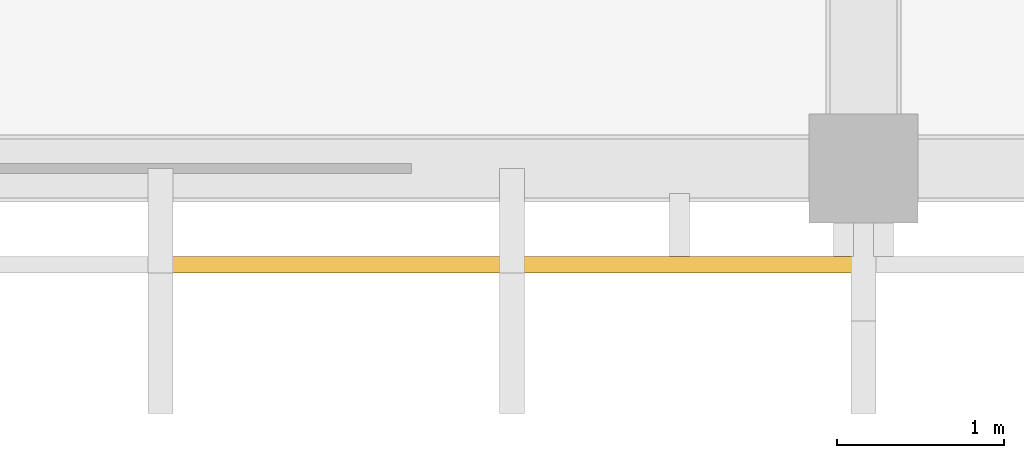
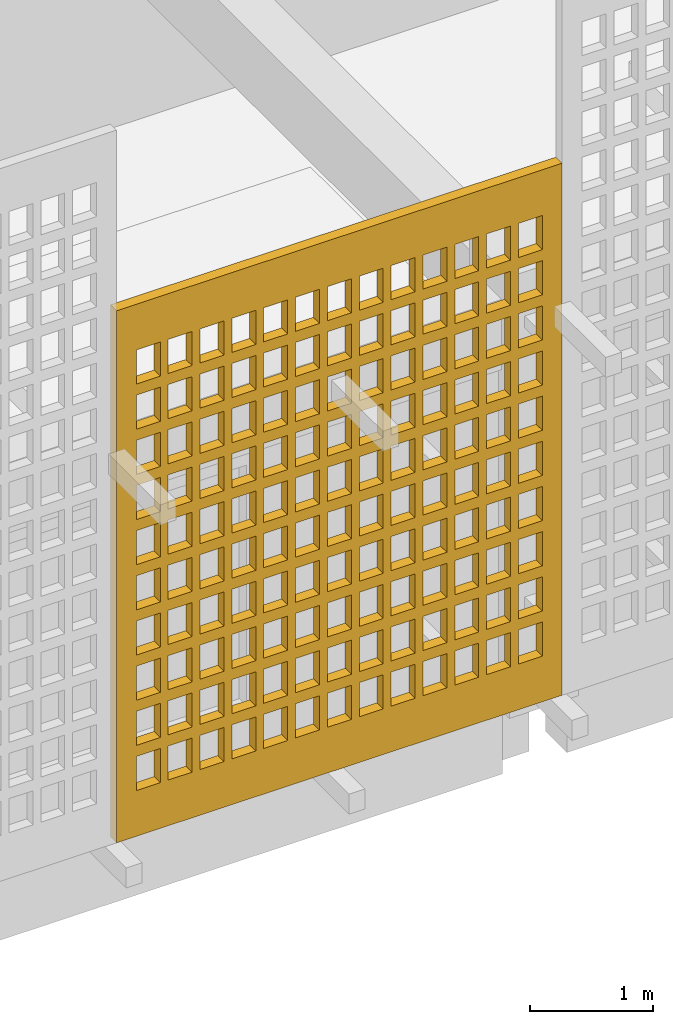
# One storey, part 7 of 23: 1 shading device, 1 opening.
"""IFC4 building model written with IfcOpenShell, lengths in metres."""

from ifc_helpers import new_model, si_unit, direction, frame, origin, origin_2d, place, context, subcontext, project, spatial, rectangle, extrude, material, layer, layer_set, type_object, element, save


model = new_model("IFC4")

# Units and contexts
model_context = context("Model", 3, precision=1e-05, world=origin(), true_north=direction((0.0, 1.0)))
body_context = subcontext(model_context, "Body", "Model", "MODEL_VIEW")
ifc_project = project(units=[si_unit("LENGTHUNIT", "METRE"), si_unit("AREAUNIT", "SQUARE_METRE"), si_unit("VOLUMEUNIT", "CUBIC_METRE"), si_unit("PLANEANGLEUNIT", "RADIAN"), si_unit("MASSUNIT", "GRAM", prefix="KILO")], contexts=[model_context])

# Site, building, storey
site_placement = place(None, origin())
site = spatial("IfcSite", under=ifc_project, at=site_placement, CompositionType="ELEMENT")
building_placement = place(site_placement, origin())
building = spatial("IfcBuilding", under=site, at=building_placement, Name="Rulbaag Community and Learning Centre", CompositionType="ELEMENT")
storey_placement = place(building_placement, frame((0.0, 0.0, 64.800048828125)))
storey = spatial("IfcBuildingStorey", under=building, at=storey_placement, Name="L17", CompositionType="ELEMENT", Elevation=64.800048828125)

# Shading device, opening
ifc_material = material(Name="Concrete M40", Category="concrete")
ifc_layer = layer(ifc_material, 0.10009765625)
ifc_layer_set = layer_set([ifc_layer], Name="JC-4")
shading_device_type = type_object("IfcShadingDeviceType", Name="JC-4", PredefinedType="SHUTTER", material=ifc_layer_set)
shading_device_placement = place(storey_placement, frame((149.10009765625, 83.425048828125, 0.0), z_axis=(0.0, 0.0, 1.0), x_axis=(1.0, 0.0, 0.0)))
shading_device = element("IfcShadingDevice", 1, at=shading_device_placement, inside=storey, type_object=shading_device_type, Name="Jaali lantern screen", PredefinedType="SHUTTER", context=body_context, shape_type="SweptSolid", body=[
    extrude(rectangle(XDim=4.199951171875, YDim=0.10009765625, at=origin_2d()), origin(), (0.0, 0.0, 1.0), 5.300048828125),
])
opening_placement = place(shading_device_placement, origin())
element("IfcOpeningElement", 2, at=opening_placement, cuts=shading_device, Name="Perforation JC4", PredefinedType="OPENING", context=body_context, shape_type="SweptSolid", body=[
    extrude(rectangle(XDim=0.22509765625, YDim=0.340087890625, at=origin_2d()), frame((-1.800048828125, -0.06005859375, 0.625), z_axis=(0.0, 1.0, 0.0), x_axis=(1.0, 0.0, 0.0)), (0.0, 0.0, 1.0), 0.1201171875),
    extrude(rectangle(XDim=0.22509765625, YDim=0.340087890625, at=origin_2d()), frame((-1.5, -0.06005859375, 0.625), z_axis=(0.0, 1.0, 0.0), x_axis=(1.0, 0.0, 0.0)), (0.0, 0.0, 1.0), 0.1201171875),
    extrude(rectangle(XDim=0.22509765625, YDim=0.340087890625, at=origin_2d()), frame((-1.199951171875, -0.06005859375, 0.625), z_axis=(0.0, 1.0, 0.0), x_axis=(1.0, 0.0, 0.0)), (0.0, 0.0, 1.0), 0.1201171875),
    extrude(rectangle(XDim=0.22509765625, YDim=0.340087890625, at=origin_2d()), frame((-0.89990234375, -0.06005859375, 0.625), z_axis=(0.0, 1.0, 0.0), x_axis=(1.0, 0.0, 0.0)), (0.0, 0.0, 1.0), 0.1201171875),
    extrude(rectangle(XDim=0.22509765625, YDim=0.340087890625, at=origin_2d()), frame((-0.60009765625, -0.06005859375, 0.625), z_axis=(0.0, 1.0, 0.0), x_axis=(1.0, 0.0, 0.0)), (0.0, 0.0, 1.0), 0.1201171875),
    extrude(rectangle(XDim=0.22509765625, YDim=0.340087890625, at=origin_2d()), frame((-0.300048828125, -0.06005859375, 0.625), z_axis=(0.0, 1.0, 0.0), x_axis=(1.0, 0.0, 0.0)), (0.0, 0.0, 1.0), 0.1201171875),
    extrude(rectangle(XDim=0.22509765625, YDim=0.340087890625, at=origin_2d()), frame((0.0, -0.06005859375, 0.625), z_axis=(0.0, 1.0, 0.0), x_axis=(1.0, 0.0, 0.0)), (0.0, 0.0, 1.0), 0.1201171875),
    extrude(rectangle(XDim=0.22509765625, YDim=0.340087890625, at=origin_2d()), frame((0.300048828125, -0.06005859375, 0.625), z_axis=(0.0, 1.0, 0.0), x_axis=(1.0, 0.0, 0.0)), (0.0, 0.0, 1.0), 0.1201171875),
    extrude(rectangle(XDim=0.22509765625, YDim=0.340087890625, at=origin_2d()), frame((0.60009765625, -0.06005859375, 0.625), z_axis=(0.0, 1.0, 0.0), x_axis=(1.0, 0.0, 0.0)), (0.0, 0.0, 1.0), 0.1201171875),
    extrude(rectangle(XDim=0.22509765625, YDim=0.340087890625, at=origin_2d()), frame((0.89990234375, -0.06005859375, 0.625), z_axis=(0.0, 1.0, 0.0), x_axis=(1.0, 0.0, 0.0)), (0.0, 0.0, 1.0), 0.1201171875),
    extrude(rectangle(XDim=0.22509765625, YDim=0.340087890625, at=origin_2d()), frame((1.199951171875, -0.06005859375, 0.625), z_axis=(0.0, 1.0, 0.0), x_axis=(1.0, 0.0, 0.0)), (0.0, 0.0, 1.0), 0.1201171875),
    extrude(rectangle(XDim=0.22509765625, YDim=0.340087890625, at=origin_2d()), frame((1.5, -0.06005859375, 0.625), z_axis=(0.0, 1.0, 0.0), x_axis=(1.0, 0.0, 0.0)), (0.0, 0.0, 1.0), 0.1201171875),
    extrude(rectangle(XDim=0.22509765625, YDim=0.340087890625, at=origin_2d()), frame((1.800048828125, -0.06005859375, 0.625), z_axis=(0.0, 1.0, 0.0), x_axis=(1.0, 0.0, 0.0)), (0.0, 0.0, 1.0), 0.1201171875),
    extrude(rectangle(XDim=0.22509765625, YDim=0.340087890625, at=origin_2d()), frame((-1.800048828125, -0.06005859375, 1.074951171875), z_axis=(0.0, 1.0, 0.0), x_axis=(1.0, 0.0, 0.0)), (0.0, 0.0, 1.0), 0.1201171875),
    extrude(rectangle(XDim=0.22509765625, YDim=0.340087890625, at=origin_2d()), frame((-1.5, -0.06005859375, 1.074951171875), z_axis=(0.0, 1.0, 0.0), x_axis=(1.0, 0.0, 0.0)), (0.0, 0.0, 1.0), 0.1201171875),
    extrude(rectangle(XDim=0.22509765625, YDim=0.340087890625, at=origin_2d()), frame((-1.199951171875, -0.06005859375, 1.074951171875), z_axis=(0.0, 1.0, 0.0), x_axis=(1.0, 0.0, 0.0)), (0.0, 0.0, 1.0), 0.1201171875),
    extrude(rectangle(XDim=0.22509765625, YDim=0.340087890625, at=origin_2d()), frame((-0.89990234375, -0.06005859375, 1.074951171875), z_axis=(0.0, 1.0, 0.0), x_axis=(1.0, 0.0, 0.0)), (0.0, 0.0, 1.0), 0.1201171875),
    extrude(rectangle(XDim=0.22509765625, YDim=0.340087890625, at=origin_2d()), frame((-0.60009765625, -0.06005859375, 1.074951171875), z_axis=(0.0, 1.0, 0.0), x_axis=(1.0, 0.0, 0.0)), (0.0, 0.0, 1.0), 0.1201171875),
    extrude(rectangle(XDim=0.22509765625, YDim=0.340087890625, at=origin_2d()), frame((-0.300048828125, -0.06005859375, 1.074951171875), z_axis=(0.0, 1.0, 0.0), x_axis=(1.0, 0.0, 0.0)), (0.0, 0.0, 1.0), 0.1201171875),
    extrude(rectangle(XDim=0.22509765625, YDim=0.340087890625, at=origin_2d()), frame((0.0, -0.06005859375, 1.074951171875), z_axis=(0.0, 1.0, 0.0), x_axis=(1.0, 0.0, 0.0)), (0.0, 0.0, 1.0), 0.1201171875),
    extrude(rectangle(XDim=0.22509765625, YDim=0.340087890625, at=origin_2d()), frame((0.300048828125, -0.06005859375, 1.074951171875), z_axis=(0.0, 1.0, 0.0), x_axis=(1.0, 0.0, 0.0)), (0.0, 0.0, 1.0), 0.1201171875),
    extrude(rectangle(XDim=0.22509765625, YDim=0.340087890625, at=origin_2d()), frame((0.60009765625, -0.06005859375, 1.074951171875), z_axis=(0.0, 1.0, 0.0), x_axis=(1.0, 0.0, 0.0)), (0.0, 0.0, 1.0), 0.1201171875),
    extrude(rectangle(XDim=0.22509765625, YDim=0.340087890625, at=origin_2d()), frame((0.89990234375, -0.06005859375, 1.074951171875), z_axis=(0.0, 1.0, 0.0), x_axis=(1.0, 0.0, 0.0)), (0.0, 0.0, 1.0), 0.1201171875),
    extrude(rectangle(XDim=0.22509765625, YDim=0.340087890625, at=origin_2d()), frame((1.199951171875, -0.06005859375, 1.074951171875), z_axis=(0.0, 1.0, 0.0), x_axis=(1.0, 0.0, 0.0)), (0.0, 0.0, 1.0), 0.1201171875),
    extrude(rectangle(XDim=0.22509765625, YDim=0.340087890625, at=origin_2d()), frame((1.5, -0.06005859375, 1.074951171875), z_axis=(0.0, 1.0, 0.0), x_axis=(1.0, 0.0, 0.0)), (0.0, 0.0, 1.0), 0.1201171875),
    extrude(rectangle(XDim=0.22509765625, YDim=0.340087890625, at=origin_2d()), frame((1.800048828125, -0.06005859375, 1.074951171875), z_axis=(0.0, 1.0, 0.0), x_axis=(1.0, 0.0, 0.0)), (0.0, 0.0, 1.0), 0.1201171875),
    extrude(rectangle(XDim=0.22509765625, YDim=0.340087890625, at=origin_2d()), frame((-1.800048828125, -0.06005859375, 1.52490234375), z_axis=(0.0, 1.0, 0.0), x_axis=(1.0, 0.0, 0.0)), (0.0, 0.0, 1.0), 0.1201171875),
    extrude(rectangle(XDim=0.22509765625, YDim=0.340087890625, at=origin_2d()), frame((-1.5, -0.06005859375, 1.52490234375), z_axis=(0.0, 1.0, 0.0), x_axis=(1.0, 0.0, 0.0)), (0.0, 0.0, 1.0), 0.1201171875),
    extrude(rectangle(XDim=0.22509765625, YDim=0.340087890625, at=origin_2d()), frame((-1.199951171875, -0.06005859375, 1.52490234375), z_axis=(0.0, 1.0, 0.0), x_axis=(1.0, 0.0, 0.0)), (0.0, 0.0, 1.0), 0.1201171875),
    extrude(rectangle(XDim=0.22509765625, YDim=0.340087890625, at=origin_2d()), frame((-0.89990234375, -0.06005859375, 1.52490234375), z_axis=(0.0, 1.0, 0.0), x_axis=(1.0, 0.0, 0.0)), (0.0, 0.0, 1.0), 0.1201171875),
    extrude(rectangle(XDim=0.22509765625, YDim=0.340087890625, at=origin_2d()), frame((-0.60009765625, -0.06005859375, 1.52490234375), z_axis=(0.0, 1.0, 0.0), x_axis=(1.0, 0.0, 0.0)), (0.0, 0.0, 1.0), 0.1201171875),
    extrude(rectangle(XDim=0.22509765625, YDim=0.340087890625, at=origin_2d()), frame((-0.300048828125, -0.06005859375, 1.52490234375), z_axis=(0.0, 1.0, 0.0), x_axis=(1.0, 0.0, 0.0)), (0.0, 0.0, 1.0), 0.1201171875),
    extrude(rectangle(XDim=0.22509765625, YDim=0.340087890625, at=origin_2d()), frame((0.0, -0.06005859375, 1.52490234375), z_axis=(0.0, 1.0, 0.0), x_axis=(1.0, 0.0, 0.0)), (0.0, 0.0, 1.0), 0.1201171875),
    extrude(rectangle(XDim=0.22509765625, YDim=0.340087890625, at=origin_2d()), frame((0.300048828125, -0.06005859375, 1.52490234375), z_axis=(0.0, 1.0, 0.0), x_axis=(1.0, 0.0, 0.0)), (0.0, 0.0, 1.0), 0.1201171875),
    extrude(rectangle(XDim=0.22509765625, YDim=0.340087890625, at=origin_2d()), frame((0.60009765625, -0.06005859375, 1.52490234375), z_axis=(0.0, 1.0, 0.0), x_axis=(1.0, 0.0, 0.0)), (0.0, 0.0, 1.0), 0.1201171875),
    extrude(rectangle(XDim=0.22509765625, YDim=0.340087890625, at=origin_2d()), frame((0.89990234375, -0.06005859375, 1.52490234375), z_axis=(0.0, 1.0, 0.0), x_axis=(1.0, 0.0, 0.0)), (0.0, 0.0, 1.0), 0.1201171875),
    extrude(rectangle(XDim=0.22509765625, YDim=0.340087890625, at=origin_2d()), frame((1.199951171875, -0.06005859375, 1.52490234375), z_axis=(0.0, 1.0, 0.0), x_axis=(1.0, 0.0, 0.0)), (0.0, 0.0, 1.0), 0.1201171875),
    extrude(rectangle(XDim=0.22509765625, YDim=0.340087890625, at=origin_2d()), frame((1.5, -0.06005859375, 1.52490234375), z_axis=(0.0, 1.0, 0.0), x_axis=(1.0, 0.0, 0.0)), (0.0, 0.0, 1.0), 0.1201171875),
    extrude(rectangle(XDim=0.22509765625, YDim=0.340087890625, at=origin_2d()), frame((1.800048828125, -0.06005859375, 1.52490234375), z_axis=(0.0, 1.0, 0.0), x_axis=(1.0, 0.0, 0.0)), (0.0, 0.0, 1.0), 0.1201171875),
    extrude(rectangle(XDim=0.22509765625, YDim=0.340087890625, at=origin_2d()), frame((-1.800048828125, -0.06005859375, 1.97509765625), z_axis=(0.0, 1.0, 0.0), x_axis=(1.0, 0.0, 0.0)), (0.0, 0.0, 1.0), 0.1201171875),
    extrude(rectangle(XDim=0.22509765625, YDim=0.340087890625, at=origin_2d()), frame((-1.5, -0.06005859375, 1.97509765625), z_axis=(0.0, 1.0, 0.0), x_axis=(1.0, 0.0, 0.0)), (0.0, 0.0, 1.0), 0.1201171875),
    extrude(rectangle(XDim=0.22509765625, YDim=0.340087890625, at=origin_2d()), frame((-1.199951171875, -0.06005859375, 1.97509765625), z_axis=(0.0, 1.0, 0.0), x_axis=(1.0, 0.0, 0.0)), (0.0, 0.0, 1.0), 0.1201171875),
    extrude(rectangle(XDim=0.22509765625, YDim=0.340087890625, at=origin_2d()), frame((-0.89990234375, -0.06005859375, 1.97509765625), z_axis=(0.0, 1.0, 0.0), x_axis=(1.0, 0.0, 0.0)), (0.0, 0.0, 1.0), 0.1201171875),
    extrude(rectangle(XDim=0.22509765625, YDim=0.340087890625, at=origin_2d()), frame((-0.60009765625, -0.06005859375, 1.97509765625), z_axis=(0.0, 1.0, 0.0), x_axis=(1.0, 0.0, 0.0)), (0.0, 0.0, 1.0), 0.1201171875),
    extrude(rectangle(XDim=0.22509765625, YDim=0.340087890625, at=origin_2d()), frame((-0.300048828125, -0.06005859375, 1.97509765625), z_axis=(0.0, 1.0, 0.0), x_axis=(1.0, 0.0, 0.0)), (0.0, 0.0, 1.0), 0.1201171875),
    extrude(rectangle(XDim=0.22509765625, YDim=0.340087890625, at=origin_2d()), frame((0.0, -0.06005859375, 1.97509765625), z_axis=(0.0, 1.0, 0.0), x_axis=(1.0, 0.0, 0.0)), (0.0, 0.0, 1.0), 0.1201171875),
    extrude(rectangle(XDim=0.22509765625, YDim=0.340087890625, at=origin_2d()), frame((0.300048828125, -0.06005859375, 1.97509765625), z_axis=(0.0, 1.0, 0.0), x_axis=(1.0, 0.0, 0.0)), (0.0, 0.0, 1.0), 0.1201171875),
    extrude(rectangle(XDim=0.22509765625, YDim=0.340087890625, at=origin_2d()), frame((0.60009765625, -0.06005859375, 1.97509765625), z_axis=(0.0, 1.0, 0.0), x_axis=(1.0, 0.0, 0.0)), (0.0, 0.0, 1.0), 0.1201171875),
    extrude(rectangle(XDim=0.22509765625, YDim=0.340087890625, at=origin_2d()), frame((0.89990234375, -0.06005859375, 1.97509765625), z_axis=(0.0, 1.0, 0.0), x_axis=(1.0, 0.0, 0.0)), (0.0, 0.0, 1.0), 0.1201171875),
    extrude(rectangle(XDim=0.22509765625, YDim=0.340087890625, at=origin_2d()), frame((1.199951171875, -0.06005859375, 1.97509765625), z_axis=(0.0, 1.0, 0.0), x_axis=(1.0, 0.0, 0.0)), (0.0, 0.0, 1.0), 0.1201171875),
    extrude(rectangle(XDim=0.22509765625, YDim=0.340087890625, at=origin_2d()), frame((1.5, -0.06005859375, 1.97509765625), z_axis=(0.0, 1.0, 0.0), x_axis=(1.0, 0.0, 0.0)), (0.0, 0.0, 1.0), 0.1201171875),
    extrude(rectangle(XDim=0.22509765625, YDim=0.340087890625, at=origin_2d()), frame((1.800048828125, -0.06005859375, 1.97509765625), z_axis=(0.0, 1.0, 0.0), x_axis=(1.0, 0.0, 0.0)), (0.0, 0.0, 1.0), 0.1201171875),
    extrude(rectangle(XDim=0.22509765625, YDim=0.340087890625, at=origin_2d()), frame((-1.800048828125, -0.06005859375, 2.425048828125), z_axis=(0.0, 1.0, 0.0), x_axis=(1.0, 0.0, 0.0)), (0.0, 0.0, 1.0), 0.1201171875),
    extrude(rectangle(XDim=0.22509765625, YDim=0.340087890625, at=origin_2d()), frame((-1.5, -0.06005859375, 2.425048828125), z_axis=(0.0, 1.0, 0.0), x_axis=(1.0, 0.0, 0.0)), (0.0, 0.0, 1.0), 0.1201171875),
    extrude(rectangle(XDim=0.22509765625, YDim=0.340087890625, at=origin_2d()), frame((-1.199951171875, -0.06005859375, 2.425048828125), z_axis=(0.0, 1.0, 0.0), x_axis=(1.0, 0.0, 0.0)), (0.0, 0.0, 1.0), 0.1201171875),
    extrude(rectangle(XDim=0.22509765625, YDim=0.340087890625, at=origin_2d()), frame((-0.89990234375, -0.06005859375, 2.425048828125), z_axis=(0.0, 1.0, 0.0), x_axis=(1.0, 0.0, 0.0)), (0.0, 0.0, 1.0), 0.1201171875),
    extrude(rectangle(XDim=0.22509765625, YDim=0.340087890625, at=origin_2d()), frame((-0.60009765625, -0.06005859375, 2.425048828125), z_axis=(0.0, 1.0, 0.0), x_axis=(1.0, 0.0, 0.0)), (0.0, 0.0, 1.0), 0.1201171875),
    extrude(rectangle(XDim=0.22509765625, YDim=0.340087890625, at=origin_2d()), frame((-0.300048828125, -0.06005859375, 2.425048828125), z_axis=(0.0, 1.0, 0.0), x_axis=(1.0, 0.0, 0.0)), (0.0, 0.0, 1.0), 0.1201171875),
    extrude(rectangle(XDim=0.22509765625, YDim=0.340087890625, at=origin_2d()), frame((0.0, -0.06005859375, 2.425048828125), z_axis=(0.0, 1.0, 0.0), x_axis=(1.0, 0.0, 0.0)), (0.0, 0.0, 1.0), 0.1201171875),
    extrude(rectangle(XDim=0.22509765625, YDim=0.340087890625, at=origin_2d()), frame((0.300048828125, -0.06005859375, 2.425048828125), z_axis=(0.0, 1.0, 0.0), x_axis=(1.0, 0.0, 0.0)), (0.0, 0.0, 1.0), 0.1201171875),
    extrude(rectangle(XDim=0.22509765625, YDim=0.340087890625, at=origin_2d()), frame((0.60009765625, -0.06005859375, 2.425048828125), z_axis=(0.0, 1.0, 0.0), x_axis=(1.0, 0.0, 0.0)), (0.0, 0.0, 1.0), 0.1201171875),
    extrude(rectangle(XDim=0.22509765625, YDim=0.340087890625, at=origin_2d()), frame((0.89990234375, -0.06005859375, 2.425048828125), z_axis=(0.0, 1.0, 0.0), x_axis=(1.0, 0.0, 0.0)), (0.0, 0.0, 1.0), 0.1201171875),
    extrude(rectangle(XDim=0.22509765625, YDim=0.340087890625, at=origin_2d()), frame((1.199951171875, -0.06005859375, 2.425048828125), z_axis=(0.0, 1.0, 0.0), x_axis=(1.0, 0.0, 0.0)), (0.0, 0.0, 1.0), 0.1201171875),
    extrude(rectangle(XDim=0.22509765625, YDim=0.340087890625, at=origin_2d()), frame((1.5, -0.06005859375, 2.425048828125), z_axis=(0.0, 1.0, 0.0), x_axis=(1.0, 0.0, 0.0)), (0.0, 0.0, 1.0), 0.1201171875),
    extrude(rectangle(XDim=0.22509765625, YDim=0.340087890625, at=origin_2d()), frame((1.800048828125, -0.06005859375, 2.425048828125), z_axis=(0.0, 1.0, 0.0), x_axis=(1.0, 0.0, 0.0)), (0.0, 0.0, 1.0), 0.1201171875),
    extrude(rectangle(XDim=0.22509765625, YDim=0.340087890625, at=origin_2d()), frame((-1.800048828125, -0.06005859375, 2.875), z_axis=(0.0, 1.0, 0.0), x_axis=(1.0, 0.0, 0.0)), (0.0, 0.0, 1.0), 0.1201171875),
    extrude(rectangle(XDim=0.22509765625, YDim=0.340087890625, at=origin_2d()), frame((-1.5, -0.06005859375, 2.875), z_axis=(0.0, 1.0, 0.0), x_axis=(1.0, 0.0, 0.0)), (0.0, 0.0, 1.0), 0.1201171875),
    extrude(rectangle(XDim=0.22509765625, YDim=0.340087890625, at=origin_2d()), frame((-1.199951171875, -0.06005859375, 2.875), z_axis=(0.0, 1.0, 0.0), x_axis=(1.0, 0.0, 0.0)), (0.0, 0.0, 1.0), 0.1201171875),
    extrude(rectangle(XDim=0.22509765625, YDim=0.340087890625, at=origin_2d()), frame((-0.89990234375, -0.06005859375, 2.875), z_axis=(0.0, 1.0, 0.0), x_axis=(1.0, 0.0, 0.0)), (0.0, 0.0, 1.0), 0.1201171875),
    extrude(rectangle(XDim=0.22509765625, YDim=0.340087890625, at=origin_2d()), frame((-0.60009765625, -0.06005859375, 2.875), z_axis=(0.0, 1.0, 0.0), x_axis=(1.0, 0.0, 0.0)), (0.0, 0.0, 1.0), 0.1201171875),
    extrude(rectangle(XDim=0.22509765625, YDim=0.340087890625, at=origin_2d()), frame((-0.300048828125, -0.06005859375, 2.875), z_axis=(0.0, 1.0, 0.0), x_axis=(1.0, 0.0, 0.0)), (0.0, 0.0, 1.0), 0.1201171875),
    extrude(rectangle(XDim=0.22509765625, YDim=0.340087890625, at=origin_2d()), frame((0.0, -0.06005859375, 2.875), z_axis=(0.0, 1.0, 0.0), x_axis=(1.0, 0.0, 0.0)), (0.0, 0.0, 1.0), 0.1201171875),
    extrude(rectangle(XDim=0.22509765625, YDim=0.340087890625, at=origin_2d()), frame((0.300048828125, -0.06005859375, 2.875), z_axis=(0.0, 1.0, 0.0), x_axis=(1.0, 0.0, 0.0)), (0.0, 0.0, 1.0), 0.1201171875),
    extrude(rectangle(XDim=0.22509765625, YDim=0.340087890625, at=origin_2d()), frame((0.60009765625, -0.06005859375, 2.875), z_axis=(0.0, 1.0, 0.0), x_axis=(1.0, 0.0, 0.0)), (0.0, 0.0, 1.0), 0.1201171875),
    extrude(rectangle(XDim=0.22509765625, YDim=0.340087890625, at=origin_2d()), frame((0.89990234375, -0.06005859375, 2.875), z_axis=(0.0, 1.0, 0.0), x_axis=(1.0, 0.0, 0.0)), (0.0, 0.0, 1.0), 0.1201171875),
    extrude(rectangle(XDim=0.22509765625, YDim=0.340087890625, at=origin_2d()), frame((1.199951171875, -0.06005859375, 2.875), z_axis=(0.0, 1.0, 0.0), x_axis=(1.0, 0.0, 0.0)), (0.0, 0.0, 1.0), 0.1201171875),
    extrude(rectangle(XDim=0.22509765625, YDim=0.340087890625, at=origin_2d()), frame((1.5, -0.06005859375, 2.875), z_axis=(0.0, 1.0, 0.0), x_axis=(1.0, 0.0, 0.0)), (0.0, 0.0, 1.0), 0.1201171875),
    extrude(rectangle(XDim=0.22509765625, YDim=0.340087890625, at=origin_2d()), frame((1.800048828125, -0.06005859375, 2.875), z_axis=(0.0, 1.0, 0.0), x_axis=(1.0, 0.0, 0.0)), (0.0, 0.0, 1.0), 0.1201171875),
    extrude(rectangle(XDim=0.22509765625, YDim=0.340087890625, at=origin_2d()), frame((-1.800048828125, -0.06005859375, 3.324951171875), z_axis=(0.0, 1.0, 0.0), x_axis=(1.0, 0.0, 0.0)), (0.0, 0.0, 1.0), 0.1201171875),
    extrude(rectangle(XDim=0.22509765625, YDim=0.340087890625, at=origin_2d()), frame((-1.5, -0.06005859375, 3.324951171875), z_axis=(0.0, 1.0, 0.0), x_axis=(1.0, 0.0, 0.0)), (0.0, 0.0, 1.0), 0.1201171875),
    extrude(rectangle(XDim=0.22509765625, YDim=0.340087890625, at=origin_2d()), frame((-1.199951171875, -0.06005859375, 3.324951171875), z_axis=(0.0, 1.0, 0.0), x_axis=(1.0, 0.0, 0.0)), (0.0, 0.0, 1.0), 0.1201171875),
    extrude(rectangle(XDim=0.22509765625, YDim=0.340087890625, at=origin_2d()), frame((-0.89990234375, -0.06005859375, 3.324951171875), z_axis=(0.0, 1.0, 0.0), x_axis=(1.0, 0.0, 0.0)), (0.0, 0.0, 1.0), 0.1201171875),
    extrude(rectangle(XDim=0.22509765625, YDim=0.340087890625, at=origin_2d()), frame((-0.60009765625, -0.06005859375, 3.324951171875), z_axis=(0.0, 1.0, 0.0), x_axis=(1.0, 0.0, 0.0)), (0.0, 0.0, 1.0), 0.1201171875),
    extrude(rectangle(XDim=0.22509765625, YDim=0.340087890625, at=origin_2d()), frame((-0.300048828125, -0.06005859375, 3.324951171875), z_axis=(0.0, 1.0, 0.0), x_axis=(1.0, 0.0, 0.0)), (0.0, 0.0, 1.0), 0.1201171875),
    extrude(rectangle(XDim=0.22509765625, YDim=0.340087890625, at=origin_2d()), frame((0.0, -0.06005859375, 3.324951171875), z_axis=(0.0, 1.0, 0.0), x_axis=(1.0, 0.0, 0.0)), (0.0, 0.0, 1.0), 0.1201171875),
    extrude(rectangle(XDim=0.22509765625, YDim=0.340087890625, at=origin_2d()), frame((0.300048828125, -0.06005859375, 3.324951171875), z_axis=(0.0, 1.0, 0.0), x_axis=(1.0, 0.0, 0.0)), (0.0, 0.0, 1.0), 0.1201171875),
    extrude(rectangle(XDim=0.22509765625, YDim=0.340087890625, at=origin_2d()), frame((0.60009765625, -0.06005859375, 3.324951171875), z_axis=(0.0, 1.0, 0.0), x_axis=(1.0, 0.0, 0.0)), (0.0, 0.0, 1.0), 0.1201171875),
    extrude(rectangle(XDim=0.22509765625, YDim=0.340087890625, at=origin_2d()), frame((0.89990234375, -0.06005859375, 3.324951171875), z_axis=(0.0, 1.0, 0.0), x_axis=(1.0, 0.0, 0.0)), (0.0, 0.0, 1.0), 0.1201171875),
    extrude(rectangle(XDim=0.22509765625, YDim=0.340087890625, at=origin_2d()), frame((1.199951171875, -0.06005859375, 3.324951171875), z_axis=(0.0, 1.0, 0.0), x_axis=(1.0, 0.0, 0.0)), (0.0, 0.0, 1.0), 0.1201171875),
    extrude(rectangle(XDim=0.22509765625, YDim=0.340087890625, at=origin_2d()), frame((1.5, -0.06005859375, 3.324951171875), z_axis=(0.0, 1.0, 0.0), x_axis=(1.0, 0.0, 0.0)), (0.0, 0.0, 1.0), 0.1201171875),
    extrude(rectangle(XDim=0.22509765625, YDim=0.340087890625, at=origin_2d()), frame((1.800048828125, -0.06005859375, 3.324951171875), z_axis=(0.0, 1.0, 0.0), x_axis=(1.0, 0.0, 0.0)), (0.0, 0.0, 1.0), 0.1201171875),
    extrude(rectangle(XDim=0.22509765625, YDim=0.340087890625, at=origin_2d()), frame((-1.800048828125, -0.06005859375, 3.77490234375), z_axis=(0.0, 1.0, 0.0), x_axis=(1.0, 0.0, 0.0)), (0.0, 0.0, 1.0), 0.1201171875),
    extrude(rectangle(XDim=0.22509765625, YDim=0.340087890625, at=origin_2d()), frame((-1.5, -0.06005859375, 3.77490234375), z_axis=(0.0, 1.0, 0.0), x_axis=(1.0, 0.0, 0.0)), (0.0, 0.0, 1.0), 0.1201171875),
    extrude(rectangle(XDim=0.22509765625, YDim=0.340087890625, at=origin_2d()), frame((-1.199951171875, -0.06005859375, 3.77490234375), z_axis=(0.0, 1.0, 0.0), x_axis=(1.0, 0.0, 0.0)), (0.0, 0.0, 1.0), 0.1201171875),
    extrude(rectangle(XDim=0.22509765625, YDim=0.340087890625, at=origin_2d()), frame((-0.89990234375, -0.06005859375, 3.77490234375), z_axis=(0.0, 1.0, 0.0), x_axis=(1.0, 0.0, 0.0)), (0.0, 0.0, 1.0), 0.1201171875),
    extrude(rectangle(XDim=0.22509765625, YDim=0.340087890625, at=origin_2d()), frame((-0.60009765625, -0.06005859375, 3.77490234375), z_axis=(0.0, 1.0, 0.0), x_axis=(1.0, 0.0, 0.0)), (0.0, 0.0, 1.0), 0.1201171875),
    extrude(rectangle(XDim=0.22509765625, YDim=0.340087890625, at=origin_2d()), frame((-0.300048828125, -0.06005859375, 3.77490234375), z_axis=(0.0, 1.0, 0.0), x_axis=(1.0, 0.0, 0.0)), (0.0, 0.0, 1.0), 0.1201171875),
    extrude(rectangle(XDim=0.22509765625, YDim=0.340087890625, at=origin_2d()), frame((0.0, -0.06005859375, 3.77490234375), z_axis=(0.0, 1.0, 0.0), x_axis=(1.0, 0.0, 0.0)), (0.0, 0.0, 1.0), 0.1201171875),
    extrude(rectangle(XDim=0.22509765625, YDim=0.340087890625, at=origin_2d()), frame((0.300048828125, -0.06005859375, 3.77490234375), z_axis=(0.0, 1.0, 0.0), x_axis=(1.0, 0.0, 0.0)), (0.0, 0.0, 1.0), 0.1201171875),
    extrude(rectangle(XDim=0.22509765625, YDim=0.340087890625, at=origin_2d()), frame((0.60009765625, -0.06005859375, 3.77490234375), z_axis=(0.0, 1.0, 0.0), x_axis=(1.0, 0.0, 0.0)), (0.0, 0.0, 1.0), 0.1201171875),
    extrude(rectangle(XDim=0.22509765625, YDim=0.340087890625, at=origin_2d()), frame((0.89990234375, -0.06005859375, 3.77490234375), z_axis=(0.0, 1.0, 0.0), x_axis=(1.0, 0.0, 0.0)), (0.0, 0.0, 1.0), 0.1201171875),
    extrude(rectangle(XDim=0.22509765625, YDim=0.340087890625, at=origin_2d()), frame((1.199951171875, -0.06005859375, 3.77490234375), z_axis=(0.0, 1.0, 0.0), x_axis=(1.0, 0.0, 0.0)), (0.0, 0.0, 1.0), 0.1201171875),
    extrude(rectangle(XDim=0.22509765625, YDim=0.340087890625, at=origin_2d()), frame((1.5, -0.06005859375, 3.77490234375), z_axis=(0.0, 1.0, 0.0), x_axis=(1.0, 0.0, 0.0)), (0.0, 0.0, 1.0), 0.1201171875),
    extrude(rectangle(XDim=0.22509765625, YDim=0.340087890625, at=origin_2d()), frame((1.800048828125, -0.06005859375, 3.77490234375), z_axis=(0.0, 1.0, 0.0), x_axis=(1.0, 0.0, 0.0)), (0.0, 0.0, 1.0), 0.1201171875),
    extrude(rectangle(XDim=0.22509765625, YDim=0.340087890625, at=origin_2d()), frame((-1.800048828125, -0.06005859375, 4.22509765625), z_axis=(0.0, 1.0, 0.0), x_axis=(1.0, 0.0, 0.0)), (0.0, 0.0, 1.0), 0.1201171875),
    extrude(rectangle(XDim=0.22509765625, YDim=0.340087890625, at=origin_2d()), frame((-1.5, -0.06005859375, 4.22509765625), z_axis=(0.0, 1.0, 0.0), x_axis=(1.0, 0.0, 0.0)), (0.0, 0.0, 1.0), 0.1201171875),
    extrude(rectangle(XDim=0.22509765625, YDim=0.340087890625, at=origin_2d()), frame((-1.199951171875, -0.06005859375, 4.22509765625), z_axis=(0.0, 1.0, 0.0), x_axis=(1.0, 0.0, 0.0)), (0.0, 0.0, 1.0), 0.1201171875),
    extrude(rectangle(XDim=0.22509765625, YDim=0.340087890625, at=origin_2d()), frame((-0.89990234375, -0.06005859375, 4.22509765625), z_axis=(0.0, 1.0, 0.0), x_axis=(1.0, 0.0, 0.0)), (0.0, 0.0, 1.0), 0.1201171875),
    extrude(rectangle(XDim=0.22509765625, YDim=0.340087890625, at=origin_2d()), frame((-0.60009765625, -0.06005859375, 4.22509765625), z_axis=(0.0, 1.0, 0.0), x_axis=(1.0, 0.0, 0.0)), (0.0, 0.0, 1.0), 0.1201171875),
    extrude(rectangle(XDim=0.22509765625, YDim=0.340087890625, at=origin_2d()), frame((-0.300048828125, -0.06005859375, 4.22509765625), z_axis=(0.0, 1.0, 0.0), x_axis=(1.0, 0.0, 0.0)), (0.0, 0.0, 1.0), 0.1201171875),
    extrude(rectangle(XDim=0.22509765625, YDim=0.340087890625, at=origin_2d()), frame((0.0, -0.06005859375, 4.22509765625), z_axis=(0.0, 1.0, 0.0), x_axis=(1.0, 0.0, 0.0)), (0.0, 0.0, 1.0), 0.1201171875),
    extrude(rectangle(XDim=0.22509765625, YDim=0.340087890625, at=origin_2d()), frame((0.300048828125, -0.06005859375, 4.22509765625), z_axis=(0.0, 1.0, 0.0), x_axis=(1.0, 0.0, 0.0)), (0.0, 0.0, 1.0), 0.1201171875),
    extrude(rectangle(XDim=0.22509765625, YDim=0.340087890625, at=origin_2d()), frame((0.60009765625, -0.06005859375, 4.22509765625), z_axis=(0.0, 1.0, 0.0), x_axis=(1.0, 0.0, 0.0)), (0.0, 0.0, 1.0), 0.1201171875),
    extrude(rectangle(XDim=0.22509765625, YDim=0.340087890625, at=origin_2d()), frame((0.89990234375, -0.06005859375, 4.22509765625), z_axis=(0.0, 1.0, 0.0), x_axis=(1.0, 0.0, 0.0)), (0.0, 0.0, 1.0), 0.1201171875),
    extrude(rectangle(XDim=0.22509765625, YDim=0.340087890625, at=origin_2d()), frame((1.199951171875, -0.06005859375, 4.22509765625), z_axis=(0.0, 1.0, 0.0), x_axis=(1.0, 0.0, 0.0)), (0.0, 0.0, 1.0), 0.1201171875),
    extrude(rectangle(XDim=0.22509765625, YDim=0.340087890625, at=origin_2d()), frame((1.5, -0.06005859375, 4.22509765625), z_axis=(0.0, 1.0, 0.0), x_axis=(1.0, 0.0, 0.0)), (0.0, 0.0, 1.0), 0.1201171875),
    extrude(rectangle(XDim=0.22509765625, YDim=0.340087890625, at=origin_2d()), frame((1.800048828125, -0.06005859375, 4.22509765625), z_axis=(0.0, 1.0, 0.0), x_axis=(1.0, 0.0, 0.0)), (0.0, 0.0, 1.0), 0.1201171875),
    extrude(rectangle(XDim=0.22509765625, YDim=0.340087890625, at=origin_2d()), frame((-1.800048828125, -0.06005859375, 4.675048828125), z_axis=(0.0, 1.0, 0.0), x_axis=(1.0, 0.0, 0.0)), (0.0, 0.0, 1.0), 0.1201171875),
    extrude(rectangle(XDim=0.22509765625, YDim=0.340087890625, at=origin_2d()), frame((-1.5, -0.06005859375, 4.675048828125), z_axis=(0.0, 1.0, 0.0), x_axis=(1.0, 0.0, 0.0)), (0.0, 0.0, 1.0), 0.1201171875),
    extrude(rectangle(XDim=0.22509765625, YDim=0.340087890625, at=origin_2d()), frame((-1.199951171875, -0.06005859375, 4.675048828125), z_axis=(0.0, 1.0, 0.0), x_axis=(1.0, 0.0, 0.0)), (0.0, 0.0, 1.0), 0.1201171875),
    extrude(rectangle(XDim=0.22509765625, YDim=0.340087890625, at=origin_2d()), frame((-0.89990234375, -0.06005859375, 4.675048828125), z_axis=(0.0, 1.0, 0.0), x_axis=(1.0, 0.0, 0.0)), (0.0, 0.0, 1.0), 0.1201171875),
    extrude(rectangle(XDim=0.22509765625, YDim=0.340087890625, at=origin_2d()), frame((-0.60009765625, -0.06005859375, 4.675048828125), z_axis=(0.0, 1.0, 0.0), x_axis=(1.0, 0.0, 0.0)), (0.0, 0.0, 1.0), 0.1201171875),
    extrude(rectangle(XDim=0.22509765625, YDim=0.340087890625, at=origin_2d()), frame((-0.300048828125, -0.06005859375, 4.675048828125), z_axis=(0.0, 1.0, 0.0), x_axis=(1.0, 0.0, 0.0)), (0.0, 0.0, 1.0), 0.1201171875),
    extrude(rectangle(XDim=0.22509765625, YDim=0.340087890625, at=origin_2d()), frame((0.0, -0.06005859375, 4.675048828125), z_axis=(0.0, 1.0, 0.0), x_axis=(1.0, 0.0, 0.0)), (0.0, 0.0, 1.0), 0.1201171875),
    extrude(rectangle(XDim=0.22509765625, YDim=0.340087890625, at=origin_2d()), frame((0.300048828125, -0.06005859375, 4.675048828125), z_axis=(0.0, 1.0, 0.0), x_axis=(1.0, 0.0, 0.0)), (0.0, 0.0, 1.0), 0.1201171875),
    extrude(rectangle(XDim=0.22509765625, YDim=0.340087890625, at=origin_2d()), frame((0.60009765625, -0.06005859375, 4.675048828125), z_axis=(0.0, 1.0, 0.0), x_axis=(1.0, 0.0, 0.0)), (0.0, 0.0, 1.0), 0.1201171875),
    extrude(rectangle(XDim=0.22509765625, YDim=0.340087890625, at=origin_2d()), frame((0.89990234375, -0.06005859375, 4.675048828125), z_axis=(0.0, 1.0, 0.0), x_axis=(1.0, 0.0, 0.0)), (0.0, 0.0, 1.0), 0.1201171875),
    extrude(rectangle(XDim=0.22509765625, YDim=0.340087890625, at=origin_2d()), frame((1.199951171875, -0.06005859375, 4.675048828125), z_axis=(0.0, 1.0, 0.0), x_axis=(1.0, 0.0, 0.0)), (0.0, 0.0, 1.0), 0.1201171875),
    extrude(rectangle(XDim=0.22509765625, YDim=0.340087890625, at=origin_2d()), frame((1.5, -0.06005859375, 4.675048828125), z_axis=(0.0, 1.0, 0.0), x_axis=(1.0, 0.0, 0.0)), (0.0, 0.0, 1.0), 0.1201171875),
    extrude(rectangle(XDim=0.22509765625, YDim=0.340087890625, at=origin_2d()), frame((1.800048828125, -0.06005859375, 4.675048828125), z_axis=(0.0, 1.0, 0.0), x_axis=(1.0, 0.0, 0.0)), (0.0, 0.0, 1.0), 0.1201171875),
])

save(model, "model.ifc")
